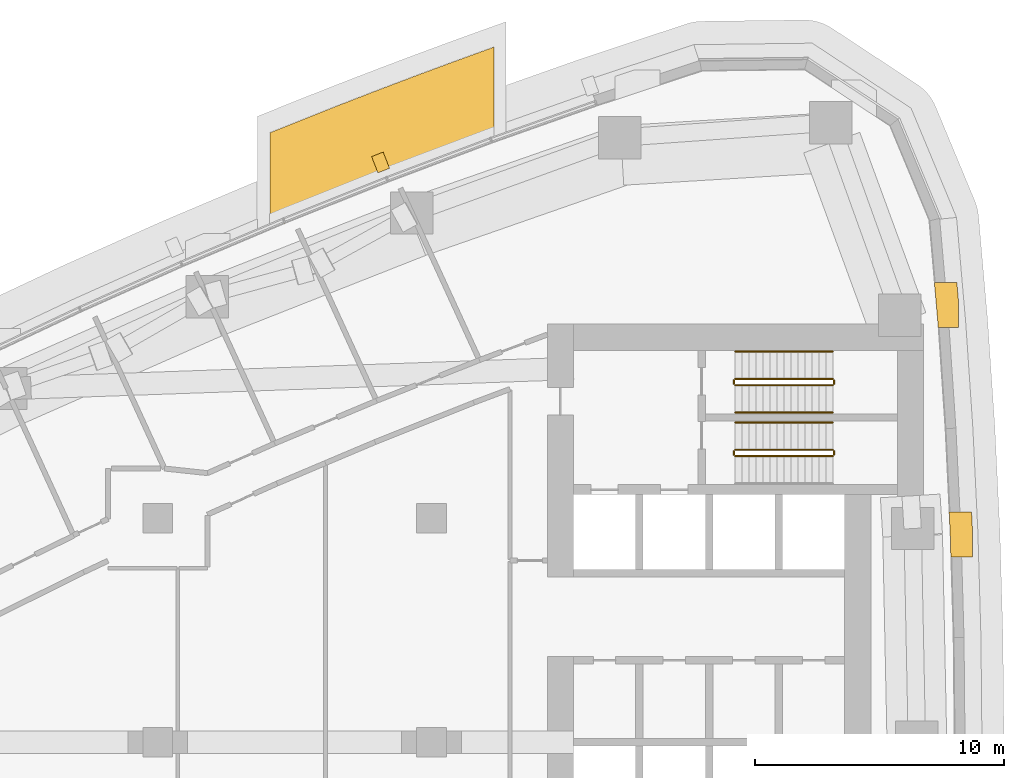
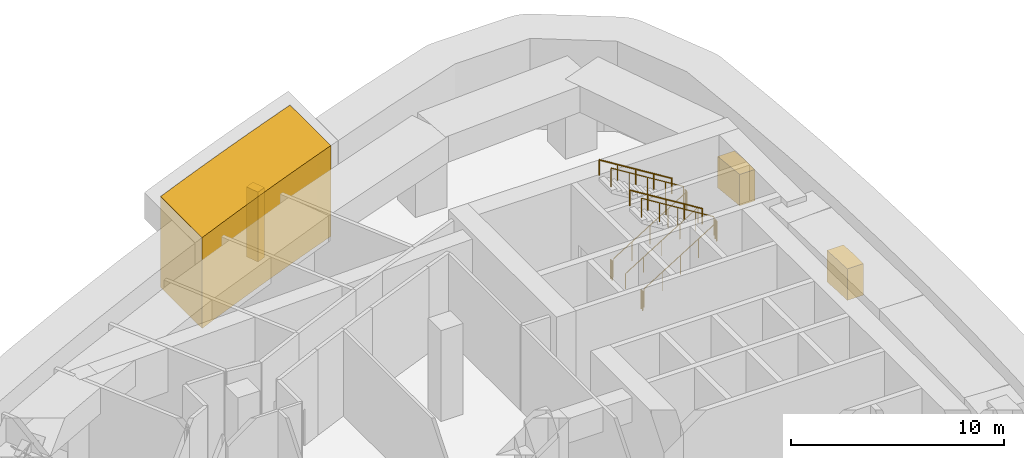
# One storey, part 18 of 19: 11 railings, 4 coverings.
"""IFC4 building model written with IfcOpenShell, lengths in metres."""

from ifc_helpers import new_model, si_unit, direction, frame, frame_2d, origin, origin_2d, place, context, subcontext, project, spatial, polyline, rectangle, circle, outline, extrude, material, layer, layer_set, type_object, element, save


model = new_model("IFC4")

# Units and contexts
model_context = context("Model", 3, precision=1e-05, world=origin(), true_north=direction((0.0, 1.0)))
body_context = subcontext(model_context, "Body", "Model", "MODEL_VIEW")
ifc_project = project(units=[si_unit("LENGTHUNIT", "METRE"), si_unit("AREAUNIT", "SQUARE_METRE"), si_unit("VOLUMEUNIT", "CUBIC_METRE"), si_unit("PLANEANGLEUNIT", "RADIAN"), si_unit("MASSUNIT", "GRAM", prefix="KILO")], contexts=[model_context])

# Site, building, storey
site_placement = place(None, origin())
site = spatial("IfcSite", under=ifc_project, at=site_placement, CompositionType="ELEMENT")
building_placement = place(site_placement, origin())
building = spatial("IfcBuilding", under=site, at=building_placement, Name="Ostrand Prow Hotel Tower", CompositionType="ELEMENT")
storey_placement = place(building_placement, frame((0.0, 0.0, 120.39990234375)))
storey = spatial("IfcBuildingStorey", under=building, at=storey_placement, Name="L29", CompositionType="ELEMENT", Elevation=120.39990234375)

# Coverings
ifc_material_1 = material(Name="Limestone cladding", Category="masonry")
ifc_layer_1 = layer(ifc_material_1, 2.0)
ifc_layer_set_1 = layer_set([ifc_layer_1], Name="Limestone cladding")
covering_type_1 = type_object("IfcCoveringType", Name="Belt lip limestone", PredefinedType="CLADDING", material=ifc_layer_set_1)
covering_1_placement = place(storey_placement, origin())
element("IfcCovering", 1, at=covering_1_placement, inside=storey, type_object=covering_type_1, Name="Belt fin 12 L29", PredefinedType="CLADDING", context=body_context, shape_type="SweptSolid", body=[
    extrude(outline(polyline([(66.736328125, 8.4462890625), (66.697265625, 9.250244140625), (65.79638671875, 9.250244140625), (65.83740234375, 8.402587890625), (65.864990234375, 7.4501953125), (66.73876953125, 7.4501953125), (66.73876953125, 8.36328125), (66.73681640625, 8.4287109375), (66.736328125, 8.4462890625)])), origin(), (0.0, 0.0, 1.0), 1.800048828125),
])
covering_2_placement = place(storey_placement, origin())
element("IfcCovering", 2, at=covering_2_placement, inside=storey, type_object=covering_type_1, Name="Belt fin 13 L29", PredefinedType="CLADDING", context=body_context, shape_type="SweptSolid", body=[
    extrude(outline(polyline([(66.181640625, 17.60986328125), (66.1064453125, 18.470703125), (65.202880859375, 18.470703125), (65.349609375, 16.79248046875), (65.35791015625, 16.670654296875), (66.181640625, 16.670654296875), (66.181640625, 17.60986328125)])), origin(), (0.0, 0.0, 1.0), 1.800048828125),
])
ifc_material_2 = material(Name="Limestone cladding", Category="masonry")
ifc_layer_2 = layer(ifc_material_2, 5.0)
ifc_layer_set_2 = layer_set([ifc_layer_2], Name="Limestone cladding")
covering_type_2 = type_object("IfcCoveringType", Name="Portal jamb pilaster limestone", PredefinedType="CLADDING", material=ifc_layer_set_2)
covering_3_placement = place(storey_placement, origin())
element("IfcCovering", 3, at=covering_3_placement, inside=storey, type_object=covering_type_2, Name="Portal jamb NB L29", PredefinedType="CLADDING", context=body_context, shape_type="SweptSolid", body=[
    extrude(outline(polyline([(38.5, 20.59423828125), (39.5, 21.006103515625), (40.5, 21.412353515625), (41.5, 21.812744140625), (42.5, 22.207763671875), (43.5, 22.59716796875), (44.5, 22.98095703125), (45.5, 23.359130859375), (46.5, 23.732177734375), (47.5, 24.099609375), (47.5, 27.927490234375), (46.5, 27.566650390625), (45.5, 27.200439453125), (44.5, 26.8291015625), (43.5, 26.4521484375), (42.5, 26.06982421875), (41.5, 25.68212890625), (40.5, 25.2890625), (39.5, 24.890380859375), (38.5, 24.486083984375), (38.5, 20.59423828125)])), origin(), (0.0, 0.0, 1.0), 5.2001953125),
])
ifc_material_3 = material(Name="Limestone cladding", Category="masonry")
ifc_layer_3 = layer(ifc_material_3, 0.5)
ifc_layer_set_3 = layer_set([ifc_layer_3], Name="Limestone cladding")
covering_type_3 = type_object("IfcCoveringType", Name="Precast stone fin 500x600", PredefinedType="CLADDING", material=ifc_layer_set_3)
covering_4_placement = place(storey_placement, frame((43.0791015625, 22.97021484375, 0.900146484375), z_axis=(0.0, 0.0, 1.0), x_axis=(-0.36199182799, 0.932181268031, 0.0)))
element("IfcCovering", 4, at=covering_4_placement, inside=storey, type_object=covering_type_3, Name="Stone fin N 3", PredefinedType="CLADDING", context=body_context, shape_type="SweptSolid", body=[
    extrude(rectangle(XDim=0.699951171875, YDim=0.5, at=frame_2d((0.35009765625, 0.0))), origin(), (0.0, 0.0, 1.0), 4.0),
])

# Railings
ifc_material_4 = material(Name="Painted steel", Category="steel")
railing_type_1 = type_object("IfcRailingType", Name="Stair guard 1100", PredefinedType="GUARDRAIL", material=ifc_material_4)
railing_1_placement = place(storey_placement, frame((57.199951171875, 11.5, 0.17333984375)))
element("IfcRailing", 5, at=railing_1_placement, inside=storey, type_object=railing_type_1, Name="L29 ST1C stair guard 1", PredefinedType="GUARDRAIL", context=body_context, shape_type="SweptSolid", body=[
    extrude(circle(Radius=0.02392578125, at=origin_2d()), frame((0.0, 0.0, 1.076171875), z_axis=(0.850266275192, 0.0, 0.526352791643), x_axis=(0.0, 1.0, 0.0)), (0.0, 0.0, 1.0), 4.610595703125),
    extrude(circle(Radius=0.02099609375, at=origin_2d()), origin(), (0.0, 0.0, 1.0), 1.052001953125),
    extrude(circle(Radius=0.02099609375, at=origin_2d()), frame((0.97998046875, 0.0, 0.606689453125)), (0.0, 0.0, 1.0), 1.052001953125),
    extrude(circle(Radius=0.02099609375, at=origin_2d()), frame((1.9599609375, 0.0, 1.21337890625)), (0.0, 0.0, 1.0), 1.052001953125),
    extrude(circle(Radius=0.02099609375, at=origin_2d()), frame((2.940185546875, 0.0, 1.820068359375)), (0.0, 0.0, 1.0), 1.052001953125),
    extrude(circle(Radius=0.02099609375, at=origin_2d()), frame((3.920166015625, 0.0, 2.4267578125)), (0.0, 0.0, 1.0), 1.052001953125),
])
railing_2_placement = place(storey_placement, frame((61.169921875, 11.550048828125, 2.60009765625)))
element("IfcRailing", 6, at=railing_2_placement, inside=storey, type_object=railing_type_1, Name="L29 ST1C stair guard 2", PredefinedType="GUARDRAIL", context=body_context, shape_type="SweptSolid", body=[
    extrude(circle(Radius=0.02392578125, at=origin_2d()), frame((0.0, 0.0, 1.076171875), z_axis=(0.0, 1.0, 0.0), x_axis=(-1.0, 0.0, 0.0)), (0.0, 0.0, 1.0), 0.14990234375),
    extrude(circle(Radius=0.02099609375, at=origin_2d()), origin(), (0.0, 0.0, 1.0), 1.052001953125),
    extrude(circle(Radius=0.02099609375, at=origin_2d()), frame((0.0, 0.14990234375, 0.0)), (0.0, 0.0, 1.0), 1.052001953125),
])
railing_3_placement = place(storey_placement, frame((61.1201171875, 11.75, 2.7734375)))
element("IfcRailing", 7, at=railing_3_placement, inside=storey, type_object=railing_type_1, Name="L29 ST1C stair guard 3", PredefinedType="GUARDRAIL", context=body_context, shape_type="SweptSolid", body=[
    extrude(circle(Radius=0.02392578125, at=origin_2d()), frame((0.0, 0.0, 1.076171875), z_axis=(-0.850266275192, 0.0, 0.526352791643), x_axis=(0.0, -1.0, 0.0)), (0.0, 0.0, 1.0), 4.610595703125),
    extrude(circle(Radius=0.02099609375, at=origin_2d()), origin(), (0.0, 0.0, 1.0), 1.052001953125),
    extrude(circle(Radius=0.02099609375, at=origin_2d()), frame((-0.97998046875, 0.0, 0.606689453125)), (0.0, 0.0, 1.0), 1.052001953125),
    extrude(circle(Radius=0.02099609375, at=origin_2d()), frame((-1.9599609375, 0.0, 1.21337890625)), (0.0, 0.0, 1.0), 1.052001953125),
    extrude(circle(Radius=0.02099609375, at=origin_2d()), frame((-2.940185546875, 0.0, 1.820068359375)), (0.0, 0.0, 1.0), 1.052001953125),
    extrude(circle(Radius=0.02099609375, at=origin_2d()), frame((-3.920166015625, 0.0, 2.4267578125)), (0.0, 0.0, 1.0), 1.052001953125),
])
railing_4_placement = place(storey_placement, frame((57.14990234375, 11.550048828125, 0.0)))
element("IfcRailing", 8, at=railing_4_placement, inside=storey, type_object=railing_type_1, Name="L29 ST1C stair guard 4", PredefinedType="GUARDRAIL", context=body_context, shape_type="SweptSolid", body=[
    extrude(circle(Radius=0.02392578125, at=origin_2d()), frame((0.0, 0.0, 1.076171875), z_axis=(0.0, 1.0, 0.0), x_axis=(-1.0, 0.0, 0.0)), (0.0, 0.0, 1.0), 0.14990234375),
    extrude(circle(Radius=0.02099609375, at=origin_2d()), origin(), (0.0, 0.0, 1.0), 1.052001953125),
    extrude(circle(Radius=0.02099609375, at=origin_2d()), frame((0.0, 0.14990234375, 0.0)), (0.0, 0.0, 1.0), 1.052001953125),
])
railing_5_placement = place(storey_placement, frame((57.199951171875, 14.35009765625, 0.17333984375)))
element("IfcRailing", 9, at=railing_5_placement, inside=storey, type_object=railing_type_1, Name="L29 ST3C stair guard 1", PredefinedType="GUARDRAIL", context=body_context, shape_type="SweptSolid", body=[
    extrude(circle(Radius=0.02392578125, at=origin_2d()), frame((0.0, 0.0, 1.076171875), z_axis=(0.850266275192, 0.0, 0.526352791643), x_axis=(0.0, 1.0, 0.0)), (0.0, 0.0, 1.0), 4.610595703125),
    extrude(circle(Radius=0.02099609375, at=origin_2d()), origin(), (0.0, 0.0, 1.0), 1.052001953125),
    extrude(circle(Radius=0.02099609375, at=origin_2d()), frame((0.97998046875, 0.0, 0.606689453125)), (0.0, 0.0, 1.0), 1.052001953125),
    extrude(circle(Radius=0.02099609375, at=origin_2d()), frame((1.9599609375, 0.0, 1.21337890625)), (0.0, 0.0, 1.0), 1.052001953125),
    extrude(circle(Radius=0.02099609375, at=origin_2d()), frame((2.940185546875, 0.0, 1.820068359375)), (0.0, 0.0, 1.0), 1.052001953125),
    extrude(circle(Radius=0.02099609375, at=origin_2d()), frame((3.920166015625, 0.0, 2.4267578125)), (0.0, 0.0, 1.0), 1.052001953125),
])
railing_6_placement = place(storey_placement, frame((61.169921875, 14.39990234375, 2.60009765625)))
element("IfcRailing", 10, at=railing_6_placement, inside=storey, type_object=railing_type_1, Name="L29 ST3C stair guard 2", PredefinedType="GUARDRAIL", context=body_context, shape_type="SweptSolid", body=[
    extrude(circle(Radius=0.02392578125, at=origin_2d()), frame((0.0, 0.0, 1.076171875), z_axis=(0.0, 1.0, 0.0), x_axis=(-1.0, 0.0, 0.0)), (0.0, 0.0, 1.0), 0.150146484375),
    extrude(circle(Radius=0.02099609375, at=origin_2d()), origin(), (0.0, 0.0, 1.0), 1.052001953125),
    extrude(circle(Radius=0.02099609375, at=origin_2d()), frame((0.0, 0.150146484375, 0.0)), (0.0, 0.0, 1.0), 1.052001953125),
])
railing_7_placement = place(storey_placement, frame((61.1201171875, 14.60009765625, 2.7734375)))
element("IfcRailing", 11, at=railing_7_placement, inside=storey, type_object=railing_type_1, Name="L29 ST3C stair guard 3", PredefinedType="GUARDRAIL", context=body_context, shape_type="SweptSolid", body=[
    extrude(circle(Radius=0.02392578125, at=origin_2d()), frame((0.0, 0.0, 1.076171875), z_axis=(-0.850266275192, 0.0, 0.526352791643), x_axis=(0.0, -1.0, 0.0)), (0.0, 0.0, 1.0), 4.610595703125),
    extrude(circle(Radius=0.02099609375, at=origin_2d()), origin(), (0.0, 0.0, 1.0), 1.052001953125),
    extrude(circle(Radius=0.02099609375, at=origin_2d()), frame((-0.97998046875, 0.0, 0.606689453125)), (0.0, 0.0, 1.0), 1.052001953125),
    extrude(circle(Radius=0.02099609375, at=origin_2d()), frame((-1.9599609375, 0.0, 1.21337890625)), (0.0, 0.0, 1.0), 1.052001953125),
    extrude(circle(Radius=0.02099609375, at=origin_2d()), frame((-2.940185546875, 0.0, 1.820068359375)), (0.0, 0.0, 1.0), 1.052001953125),
    extrude(circle(Radius=0.02099609375, at=origin_2d()), frame((-3.920166015625, 0.0, 2.4267578125)), (0.0, 0.0, 1.0), 1.052001953125),
])
railing_8_placement = place(storey_placement, frame((57.14990234375, 14.39990234375, 0.0)))
element("IfcRailing", 12, at=railing_8_placement, inside=storey, type_object=railing_type_1, Name="L29 ST3C stair guard 4", PredefinedType="GUARDRAIL", context=body_context, shape_type="SweptSolid", body=[
    extrude(circle(Radius=0.02392578125, at=origin_2d()), frame((0.0, 0.0, 1.076171875), z_axis=(0.0, 1.0, 0.0), x_axis=(-1.0, 0.0, 0.0)), (0.0, 0.0, 1.0), 0.150146484375),
    extrude(circle(Radius=0.02099609375, at=origin_2d()), origin(), (0.0, 0.0, 1.0), 1.052001953125),
    extrude(circle(Radius=0.02099609375, at=origin_2d()), frame((0.0, 0.150146484375, 0.0)), (0.0, 0.0, 1.0), 1.052001953125),
])
ifc_material_5 = material(Name="Stainless steel", Category="steel")
railing_type_2 = type_object("IfcRailingType", Name="Stair handrail 900", PredefinedType="HANDRAIL", material=ifc_material_5)
railing_9_placement = place(storey_placement, frame((61.1201171875, 12.85009765625, 2.7734375)))
element("IfcRailing", 13, at=railing_9_placement, inside=storey, type_object=railing_type_2, Name="L29 ST1C stair handrail 2", PredefinedType="HANDRAIL", context=body_context, shape_type="SweptSolid", body=[
    extrude(circle(Radius=0.02392578125, at=origin_2d()), frame((0.0, 0.0, 0.8759765625), z_axis=(-0.850266275192, 0.0, 0.526352791643), x_axis=(0.0, -1.0, 0.0)), (0.0, 0.0, 1.0), 4.610595703125),
    extrude(circle(Radius=0.02099609375, at=origin_2d()), origin(), (0.0, 0.0, 1.0), 0.851806640625),
    extrude(circle(Radius=0.02099609375, at=origin_2d()), frame((-0.97998046875, 0.0, 0.606689453125)), (0.0, 0.0, 1.0), 0.851806640625),
    extrude(circle(Radius=0.02099609375, at=origin_2d()), frame((-1.9599609375, 0.0, 1.21337890625)), (0.0, 0.0, 1.0), 0.851806640625),
    extrude(circle(Radius=0.02099609375, at=origin_2d()), frame((-2.940185546875, 0.0, 1.820068359375)), (0.0, 0.0, 1.0), 0.851806640625),
    extrude(circle(Radius=0.02099609375, at=origin_2d()), frame((-3.920166015625, 0.0, 2.4267578125)), (0.0, 0.0, 1.0), 0.851806640625),
])
railing_10_placement = place(storey_placement, frame((57.199951171875, 13.25, 0.17333984375)))
element("IfcRailing", 14, at=railing_10_placement, inside=storey, type_object=railing_type_2, Name="L29 ST3C stair handrail 1", PredefinedType="HANDRAIL", context=body_context, shape_type="SweptSolid", body=[
    extrude(circle(Radius=0.02392578125, at=origin_2d()), frame((0.0, 0.0, 0.8759765625), z_axis=(0.850266275192, 0.0, 0.526352791643), x_axis=(0.0, 1.0, 0.0)), (0.0, 0.0, 1.0), 4.610595703125),
    extrude(circle(Radius=0.02099609375, at=origin_2d()), origin(), (0.0, 0.0, 1.0), 0.851806640625),
    extrude(circle(Radius=0.02099609375, at=origin_2d()), frame((0.97998046875, 0.0, 0.606689453125)), (0.0, 0.0, 1.0), 0.851806640625),
    extrude(circle(Radius=0.02099609375, at=origin_2d()), frame((1.9599609375, 0.0, 1.21337890625)), (0.0, 0.0, 1.0), 0.851806640625),
    extrude(circle(Radius=0.02099609375, at=origin_2d()), frame((2.940185546875, 0.0, 1.820068359375)), (0.0, 0.0, 1.0), 0.851806640625),
    extrude(circle(Radius=0.02099609375, at=origin_2d()), frame((3.920166015625, 0.0, 2.4267578125)), (0.0, 0.0, 1.0), 0.851806640625),
])
railing_11_placement = place(storey_placement, frame((61.1201171875, 15.699951171875, 2.7734375)))
element("IfcRailing", 15, at=railing_11_placement, inside=storey, type_object=railing_type_2, Name="L29 ST3C stair handrail 2", PredefinedType="HANDRAIL", context=body_context, shape_type="SweptSolid", body=[
    extrude(circle(Radius=0.02392578125, at=origin_2d()), frame((0.0, 0.0, 0.8759765625), z_axis=(-0.850266275192, 0.0, 0.526352791643), x_axis=(0.0, -1.0, 0.0)), (0.0, 0.0, 1.0), 4.610595703125),
    extrude(circle(Radius=0.02099609375, at=origin_2d()), origin(), (0.0, 0.0, 1.0), 0.851806640625),
    extrude(circle(Radius=0.02099609375, at=origin_2d()), frame((-0.97998046875, 0.0, 0.606689453125)), (0.0, 0.0, 1.0), 0.851806640625),
    extrude(circle(Radius=0.02099609375, at=origin_2d()), frame((-1.9599609375, 0.0, 1.21337890625)), (0.0, 0.0, 1.0), 0.851806640625),
    extrude(circle(Radius=0.02099609375, at=origin_2d()), frame((-2.940185546875, 0.0, 1.820068359375)), (0.0, 0.0, 1.0), 0.851806640625),
    extrude(circle(Radius=0.02099609375, at=origin_2d()), frame((-3.920166015625, 0.0, 2.4267578125)), (0.0, 0.0, 1.0), 0.851806640625),
])

save(model, "model.ifc")
